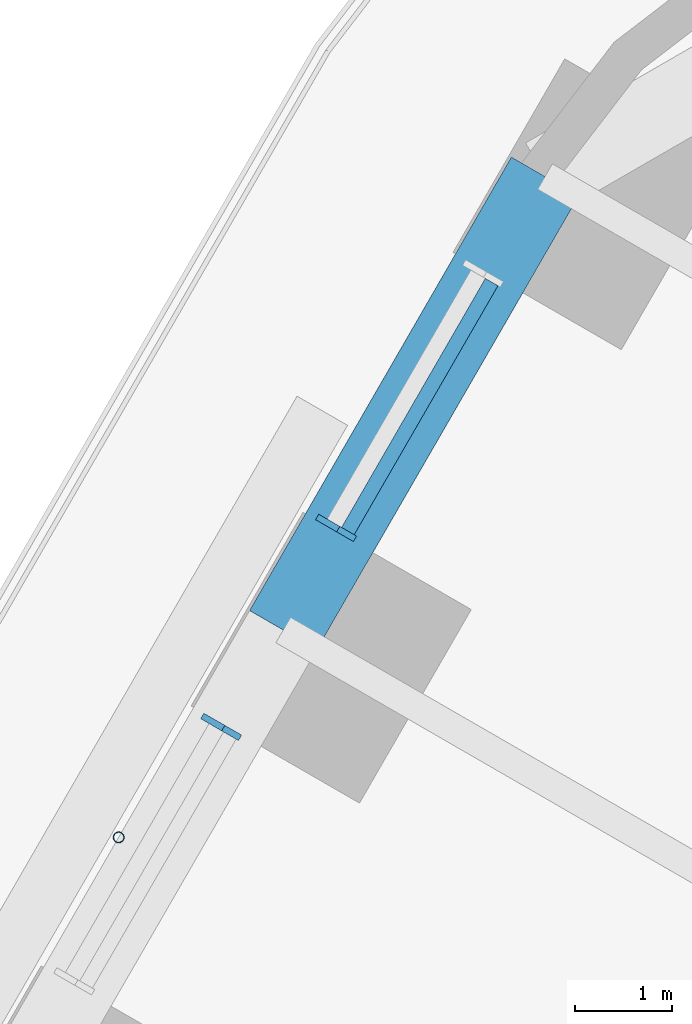
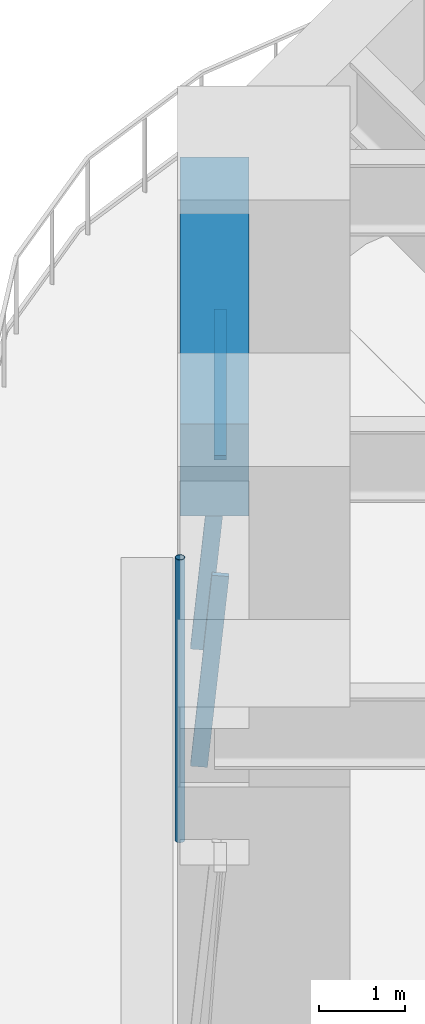
# One storey, part 9 of 23: 4 members, 1 beam, 2 elements without a shape of their own.
"""IFC4 building model written with IfcOpenShell, lengths in metres."""

from ifc_helpers import new_model, si_unit, direction, frame, origin, origin_2d, place, context, subcontext, project, spatial, rectangle, hollow_circle, extrude, material, material_profile, profile_set, type_object, element, aggregate, save


model = new_model("IFC4")

# Units and contexts
model_context = context("Model", 3, precision=1e-05, world=origin(), true_north=direction((0.0, 1.0)))
body_context = subcontext(model_context, "Body", "Model", "MODEL_VIEW")
ifc_project = project(units=[si_unit("LENGTHUNIT", "METRE"), si_unit("AREAUNIT", "SQUARE_METRE"), si_unit("VOLUMEUNIT", "CUBIC_METRE"), si_unit("PLANEANGLEUNIT", "RADIAN"), si_unit("MASSUNIT", "GRAM", prefix="KILO")], contexts=[model_context])

# Site, building, storey
site_placement = place(None, origin())
site = spatial("IfcSite", under=ifc_project, at=site_placement, CompositionType="ELEMENT")
building_placement = place(site_placement, origin())
building = spatial("IfcBuilding", under=site, at=building_placement, Name="Tarfa Lantern Tower", CompositionType="ELEMENT")
storey_placement = place(building_placement, frame((0.0, 0.0, 36.10009765625)))
storey = spatial("IfcBuildingStorey", under=building, at=storey_placement, Name="L07", CompositionType="ELEMENT", Elevation=36.10009765625)

# Curtain wall, member
ifc_material_1 = material(Name="Aluminium framed curtain wall", Category="aluminium")
curtain_wall_type = type_object("IfcCurtainWallType", Name="CW1 CANTED GLAZING LOW ZONE 2700", PredefinedType="USERDEFINED", material=ifc_material_1)
curtain_wall_1_placement = place(storey_placement, origin())
curtain_wall_1 = element("IfcCurtainWall", 1, at=curtain_wall_1_placement, inside=storey, type_object=curtain_wall_type, Name="CW1 NW L07", ObjectType="CURTAIN WALL", PredefinedType="USERDEFINED")
ifc_material_2 = material(Name="Aluminium mullion", Category="aluminium")
ifc_material_profile_1 = material_profile(ifc_material_2, rectangle(XDim=0.06494140625, YDim=0.199951171875, at=origin_2d()), Name="AL MULLION 65x200")
ifc_profile_set_1 = profile_set([ifc_material_profile_1], Name="Aluminium mullion")
member_type_1 = type_object("IfcMemberType", Name="CWM1 MULLION 65x200", PredefinedType="MULLION", material=ifc_profile_set_1)
member_1_placement = place(storey_placement, frame((-23.37841796875, 27.307373046875, 0.0), z_axis=(0.07986442134, -0.046099868913, 0.99573916077), x_axis=(0.499919672301, 0.866071776036, 0.0)))
member_1 = element("IfcMember", 2, at=member_1_placement, type_object=member_type_1, Name="CW1 mullion 2", PredefinedType="MULLION", context=body_context, shape_type="SweptSolid", body=[
    extrude(rectangle(XDim=0.06494140625, YDim=0.199951171875, at=origin_2d()), origin(), (0.0, 0.0, 1.0), 2.71142578125),
])

curtain_wall_2_placement = place(storey_placement, origin())
curtain_wall_2 = element("IfcCurtainWall", 3, at=curtain_wall_2_placement, inside=storey, type_object=curtain_wall_type, Name="CW1 NW L07", ObjectType="CURTAIN WALL", PredefinedType="USERDEFINED")
member_2_placement = place(storey_placement, frame((-24.560791015625, 25.25927734375, 0.0), z_axis=(0.079774955866, -0.04610020023, 0.995746317068), x_axis=(0.500342721131, 0.865827443207, 0.0)))
member_2 = element("IfcMember", 4, at=member_2_placement, type_object=member_type_1, Name="CW1 mullion 1", PredefinedType="MULLION", context=body_context, shape_type="SweptSolid", body=[
    extrude(rectangle(XDim=0.06494140625, YDim=0.199951171875, at=origin_2d()), origin(), (0.0, 0.0, 1.0), 2.71142578125),
])
aggregate(curtain_wall_2, [member_2])

# Member
ifc_material_3 = material(Name="Aluminium transom", Category="aluminium")
ifc_material_profile_2 = material_profile(ifc_material_3, rectangle(XDim=0.14990234375, YDim=0.06494140625, at=origin_2d()), Name="AL TRANSOM 150x65")
ifc_profile_set_2 = profile_set([ifc_material_profile_2], Name="Aluminium transom")
member_type_2 = type_object("IfcMemberType", Name="CWT1 TRANSOM 150x65", PredefinedType="USERDEFINED", material=ifc_profile_set_2)
member_3_placement = place(storey_placement, frame((-21.6689453125, 29.774169921875, 2.66748046875), z_axis=(-0.500017718492, -0.866015173767, 0.0), x_axis=(0.866015173767, -0.500017718492, 0.0)))
member_3 = element("IfcMember", 5, at=member_3_placement, type_object=member_type_2, Name="CW1 transom 1.2", ObjectType="TRANSOM", PredefinedType="USERDEFINED", context=body_context, shape_type="SweptSolid", body=[
    extrude(rectangle(XDim=0.14990234375, YDim=0.06494140625, at=origin_2d()), origin(), (0.0, 0.0, 1.0), 2.95849609375),
])

aggregate(curtain_wall_1, [member_1, member_3])

# Beam
ifc_material_4 = material(Name="Concrete C80/95", Category="concrete")
ifc_material_profile_3 = material_profile(ifc_material_4, rectangle(XDim=0.800048828125, YDim=1.300048828125, at=origin_2d()), Name="RC 800x1300")
ifc_profile_set_3 = profile_set([ifc_material_profile_3], Name="Concrete C80/95")
beam_type = type_object("IfcBeamType", Name="EB1 RC 800x1300", PredefinedType="SPANDREL", material=ifc_profile_set_3)
beam_placement = place(storey_placement, frame((-21.119384765625, 30.860107421875, 3.349853515625), z_axis=(-0.499998287579, -0.866026392449, 0.0), x_axis=(0.866026392449, -0.499998287579, 0.0)))
element("IfcBeam", 6, at=beam_placement, inside=storey, type_object=beam_type, Name="Edge beam NW0", PredefinedType="SPANDREL", context=body_context, shape_type="SweptSolid", body=[
    extrude(rectangle(XDim=0.800048828125, YDim=1.300048828125, at=origin_2d()), origin(), (0.0, 0.0, 1.0), 5.388671875),
])

# Member
ifc_material_5 = material(Name="Steel S355", Category="steel")
ifc_material_profile_4 = material_profile(ifc_material_5, hollow_circle(Radius=0.05712890625, WallThickness=0.00634765625, at=origin_2d()), Name="CHS114.3x6.3")
ifc_profile_set_4 = profile_set([ifc_material_profile_4], Name="Steel S355")
member_type_3 = type_object("IfcMemberType", Name="TR1 GREEN WALL TRELLIS CHS114.3x6.3", PredefinedType="USERDEFINED", material=ifc_profile_set_4)
member_4_placement = place(storey_placement, frame((-25.50732421875, 24.06005859375, 0.0), z_axis=(0.0, 0.0, 1.0), x_axis=(1.0, 0.0, 0.0)))
element("IfcMember", 7, at=member_4_placement, inside=storey, type_object=member_type_3, Name="Trellis post NW 1", ObjectType="TRELLIS", PredefinedType="USERDEFINED", context=body_context, shape_type="SweptSolid", body=[
    extrude(hollow_circle(Radius=0.05712890625, WallThickness=0.00634765625, at=origin_2d()), origin(), (0.0, 0.0, 1.0), 4.0),
])

save(model, "model.ifc")
